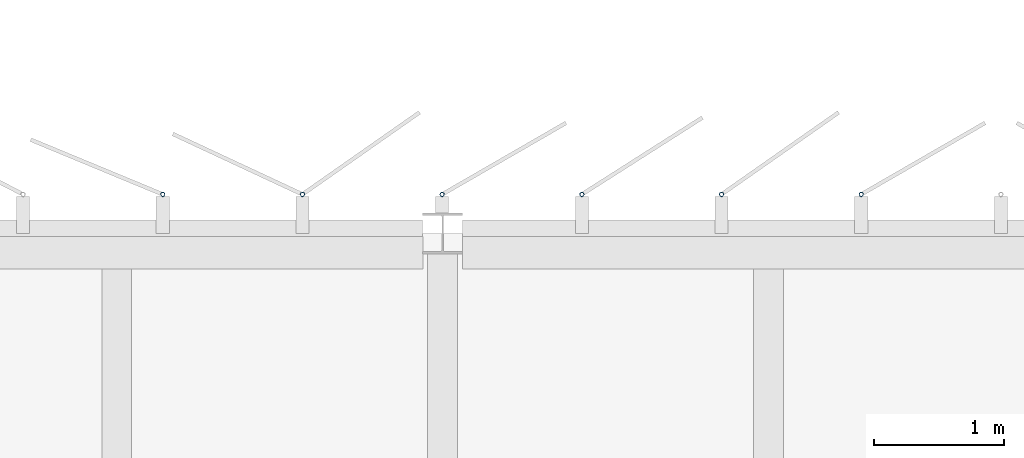
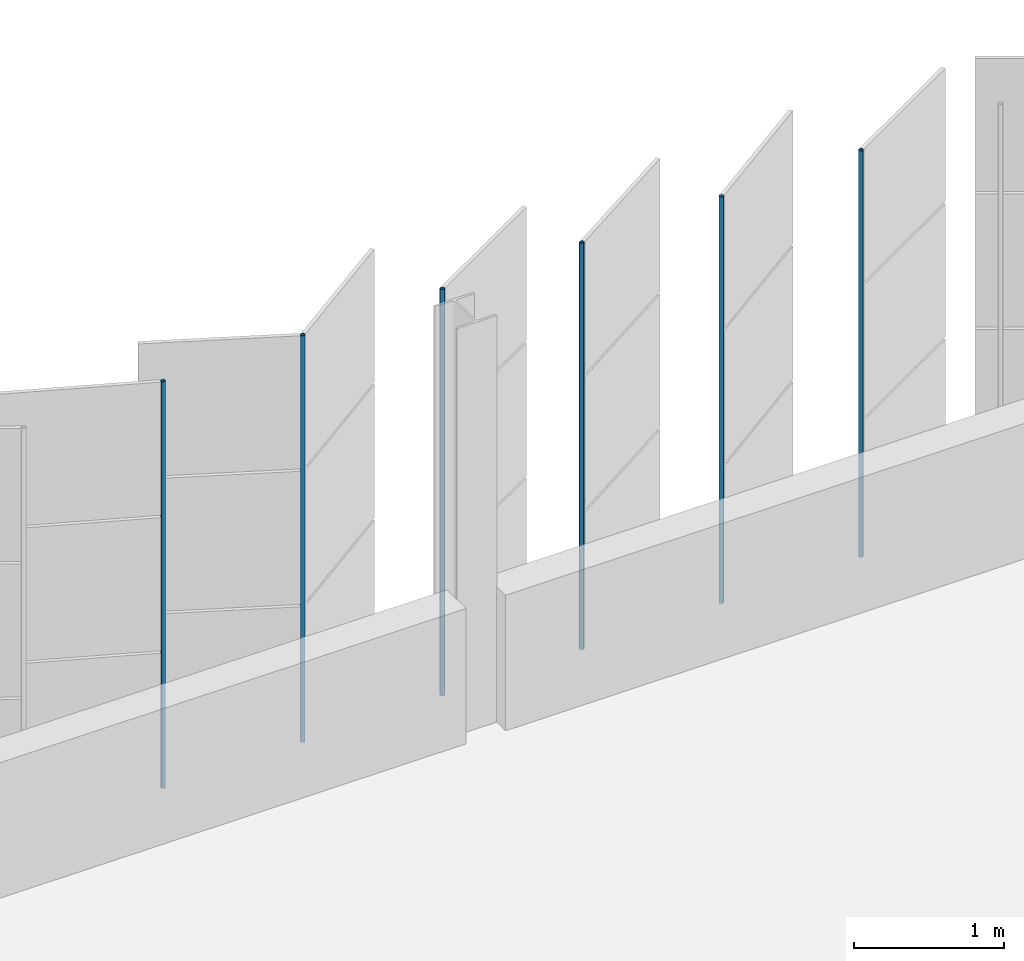
# One storey, part 162 of 214: 6 discrete accessories.
"""IFC4 building model written with IfcOpenShell, lengths in metres."""

from ifc_helpers import new_model, si_unit, direction, frame, origin, origin_2d, place, context, subcontext, project, spatial, hollow_circle, extrude, material, material_profile, profile_set, type_object, element, save


model = new_model("IFC4")

# Units and contexts
model_context = context("Model", 3, precision=1e-05, world=origin(), true_north=direction((0.0, 1.0)))
body_context = subcontext(model_context, "Body", "Model", "MODEL_VIEW")
ifc_project = project(units=[si_unit("LENGTHUNIT", "METRE"), si_unit("AREAUNIT", "SQUARE_METRE"), si_unit("VOLUMEUNIT", "CUBIC_METRE"), si_unit("PLANEANGLEUNIT", "RADIAN"), si_unit("MASSUNIT", "GRAM", prefix="KILO")], contexts=[model_context])

# Site, building, storey
site_placement = place(None, origin())
site = spatial("IfcSite", under=ifc_project, at=site_placement, CompositionType="ELEMENT")
building_placement = place(site_placement, origin())
building = spatial("IfcBuilding", under=site, at=building_placement, Name="Parallax Yard Mobility Hub", CompositionType="ELEMENT")
storey_placement = place(building_placement, frame((0.0, 0.0, 3.300048828125)))
storey = spatial("IfcBuildingStorey", under=building, at=storey_placement, Name="L01", CompositionType="ELEMENT", Elevation=3.300048828125)

# Discrete accessories
ifc_material = material(Name="Steel ASTM A500 Gr C, hot-dip galvanised", Category="steel")
ifc_material_profile = material_profile(ifc_material, hollow_circle(Radius=0.016845703125, WallThickness=0.003173828125, at=origin_2d()), Name="CHS 33.7x3.2")
ifc_profile_set = profile_set([ifc_material_profile], Name="Steel ASTM A500 Gr C, hot-dip galvanised")
discrete_accessory_type = type_object("IfcDiscreteAccessoryType", Name="Hinge post CHS 33.7x3.2", PredefinedType="BRACKET", material=ifc_profile_set)
for number, where, z_axis, x_axis, name in (
    (1, (130.711181640625, 142.800048828125, 0.0), (0.0, 0.0, 1.0), (1.0, 0.0, 0.0), "Hinge post bay 56.5 level L01"),
    (2, (129.6396484375, 142.800048828125, 0.0), (0.0, 0.0, 1.0), (1.0, 0.0, 0.0), "Hinge post bay 56.6 level L01"),
    (3, (128.568115234375, 142.800048828125, 0.0), (0.0, 0.0, 1.0), (1.0, 0.0, 0.0), "Hinge post bay 56.7 level L01"),
    (4, (127.49658203125, 142.800048828125, 0.0), (0.0, 0.0, 1.0), (1.0, 0.0, 0.0), "Hinge post bay 57.1 level L01"),
    (5, (126.425048828125, 142.800048828125, 0.0), (0.0, 0.0, 1.0), (1.0, 0.0, 0.0), "Hinge post bay 57.2 level L01"),
    (6, (125.353515625, 142.800048828125, 0.0), (0.0, 0.0, 1.0), (1.0, 0.0, 0.0), "Hinge post bay 57.3 level L01"),
):
    element("IfcDiscreteAccessory", number, at=place(storey_placement, frame(where, z_axis=z_axis, x_axis=x_axis)), inside=storey, type_object=discrete_accessory_type, Name=name, PredefinedType="BRACKET", context=body_context, shape_type="SweptSolid", body=[
        extrude(hollow_circle(Radius=0.016845703125, WallThickness=0.003173828125, at=origin_2d()), origin(), (0.0, 0.0, 1.0), 3.300048828125),
    ])

save(model, "model.ifc")
